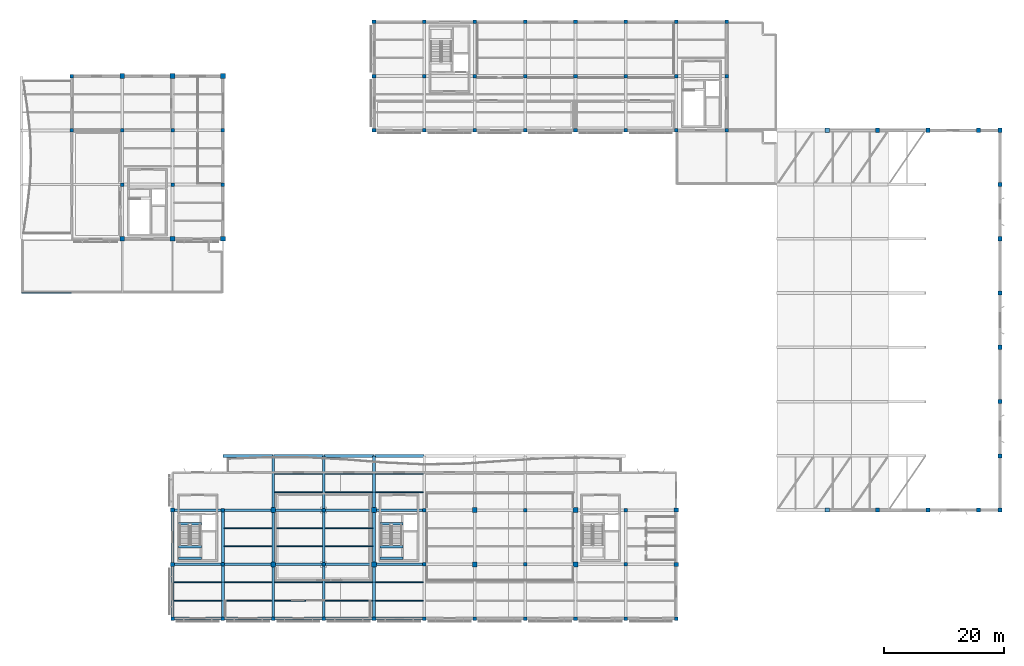
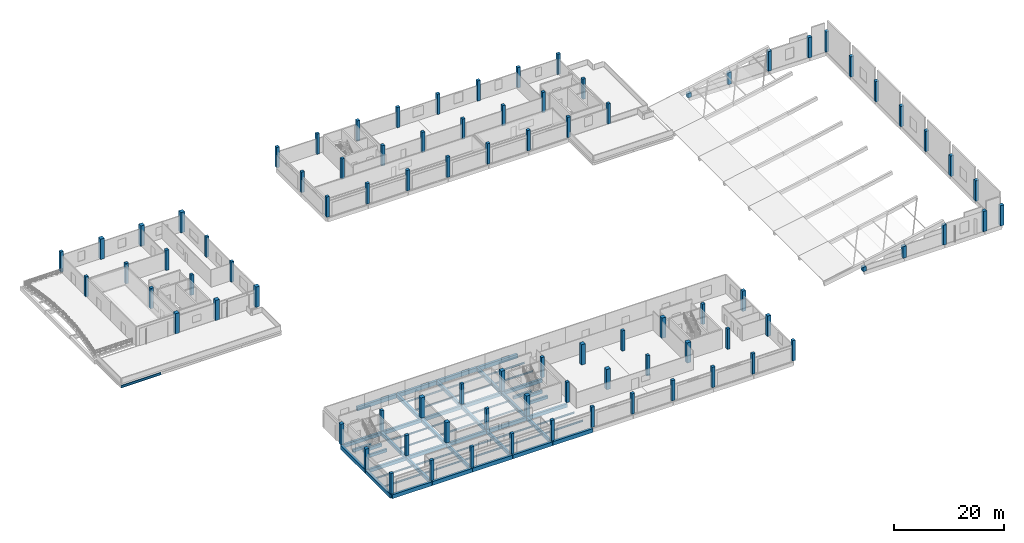
# One storey, part 1 of 34: 87 columns, 61 beams.
"""IFC4 building model written with IfcOpenShell, lengths in metres."""

from ifc_helpers import new_model, si_unit, direction, frame, origin, origin_2d, place, context, subcontext, project, spatial, rectangle, i_section, extrude, material, material_profile, profile_set, type_object, element, save


model = new_model("IFC4")

# Units and contexts
model_context = context("Model", 3, precision=1e-05, world=origin(), true_north=direction((0.0, 1.0)))
body_context = subcontext(model_context, "Body", "Model", "MODEL_VIEW")
ifc_project = project(units=[si_unit("LENGTHUNIT", "METRE"), si_unit("AREAUNIT", "SQUARE_METRE"), si_unit("VOLUMEUNIT", "CUBIC_METRE"), si_unit("PLANEANGLEUNIT", "RADIAN"), si_unit("MASSUNIT", "GRAM", prefix="KILO")], contexts=[model_context])

# Site, building, storey
site_placement = place(None, origin())
site = spatial("IfcSite", under=ifc_project, at=site_placement, CompositionType="ELEMENT")
building_placement = place(site_placement, origin())
building = spatial("IfcBuilding", under=site, at=building_placement, Name="Khurvash Pelagic Aquarium", CompositionType="ELEMENT")
storey_placement = place(building_placement, frame((0.0, 0.0, 15.60009765625)))
storey = spatial("IfcBuildingStorey", under=building, at=storey_placement, Name="L03", CompositionType="ELEMENT", Elevation=15.60009765625)

# Columns
ifc_material_1 = material(Name="Concrete C40/50", Category="concrete")
ifc_material_profile_1 = material_profile(ifc_material_1, rectangle(XDim=0.800048828125, YDim=0.800048828125, at=origin_2d()), Name="RC800X800")
ifc_profile_set_1 = profile_set([ifc_material_profile_1], Name="Concrete C40/50")
column_type_1 = type_object("IfcColumnType", Name="C-02", PredefinedType="COLUMN", material=ifc_profile_set_1)
for number, where, z_axis, x_axis, name in (
    (1, (42.0, 11.64990234375, 0.0), (0.0, 0.0, 1.0), (1.0, 0.0, 0.0), "L03 Column C-02 at 6/C"),
    (2, (42.0, 20.699951171875, 0.0), (0.0, 0.0, 1.0), (1.0, 0.0, 0.0), "L03 Column C-02 at 6/D"),
    (3, (58.800048828125, 11.64990234375, 0.0), (0.0, 0.0, 1.0), (1.0, 0.0, 0.0), "L03 Column C-02 at 8/C"),
    (4, (58.800048828125, 20.699951171875, 0.0), (0.0, 0.0, 1.0), (1.0, 0.0, 0.0), "L03 Column C-02 at 8/D"),
    (5, (75.60009765625, 11.64990234375, 0.0), (0.0, 0.0, 1.0), (1.0, 0.0, 0.0), "L03 Column C-02 at 10/C"),
    (6, (75.60009765625, 20.699951171875, 0.0), (0.0, 0.0, 1.0), (1.0, 0.0, 0.0), "L03 Column C-02 at 10/D"),
    (7, (92.39990234375, 11.64990234375, 0.0), (0.0, 0.0, 1.0), (1.0, 0.0, 0.0), "L03 Column C-02 at 12/C"),
    (8, (92.39990234375, 20.699951171875, 0.0), (0.0, 0.0, 1.0), (1.0, 0.0, 0.0), "L03 Column C-02 at 12/D"),
):
    element("IfcColumn", number, at=place(storey_placement, frame(where, z_axis=z_axis, x_axis=x_axis)), inside=storey, type_object=column_type_1, Name=name, PredefinedType="COLUMN", context=body_context, shape_type="SweptSolid", body=[
        extrude(rectangle(XDim=0.800048828125, YDim=0.800048828125, at=origin_2d()), origin(), (0.0, 0.0, 1.0), 4.5),
    ])
ifc_material_profile_2 = material_profile(ifc_material_1, rectangle(XDim=0.60009765625, YDim=0.60009765625, at=origin_2d()), Name="RC600X600")
ifc_profile_set_2 = profile_set([ifc_material_profile_2], Name="Concrete C40/50")
column_type_2 = type_object("IfcColumnType", Name="C-04", PredefinedType="COLUMN", material=ifc_profile_set_2)
for number, where, z_axis, x_axis, name in (
    (9, (16.800048828125, 75.0, 0.0), (0.0, 0.0, 1.0), (1.0, 0.0, 0.0), "L03 Column C-04 at 3/K"),
    (10, (16.800048828125, 84.050048828125, 0.0), (0.0, 0.0, 1.0), (1.0, 0.0, 0.0), "L03 Column C-04 at 3/L"),
    (11, (25.199951171875, 75.0, 0.0), (0.0, 0.0, 1.0), (1.0, 0.0, 0.0), "L03 Column C-04 at 4/K"),
    (12, (25.199951171875, 84.050048828125, 0.0), (0.0, 0.0, 1.0), (1.0, 0.0, 0.0), "L03 Column C-04 at 4/L"),
    (13, (33.60009765625, 11.64990234375, 0.0), (0.0, 0.0, 1.0), (1.0, 0.0, 0.0), "L03 Column C-04 at 5/C"),
    (14, (33.60009765625, 20.699951171875, 0.0), (0.0, 0.0, 1.0), (1.0, 0.0, 0.0), "L03 Column C-04 at 5/D"),
    (15, (50.39990234375, 11.64990234375, 0.0), (0.0, 0.0, 1.0), (1.0, 0.0, 0.0), "L03 Column C-04 at 7/C"),
    (16, (50.39990234375, 20.699951171875, 0.0), (0.0, 0.0, 1.0), (1.0, 0.0, 0.0), "L03 Column C-04 at 7/D"),
    (17, (67.199951171875, 11.64990234375, 0.0), (0.0, 0.0, 1.0), (1.0, 0.0, 0.0), "L03 Column C-04 at 9/C"),
    (18, (67.199951171875, 20.699951171875, 0.0), (0.0, 0.0, 1.0), (1.0, 0.0, 0.0), "L03 Column C-04 at 9/D"),
    (19, (67.199951171875, 93.10009765625, 0.0), (0.0, 0.0, 1.0), (1.0, 0.0, 0.0), "L03 Column C-04 at 9/M"),
    (20, (75.60009765625, 93.10009765625, 0.0), (0.0, 0.0, 1.0), (1.0, 0.0, 0.0), "L03 Column C-04 at 10/M"),
    (21, (84.0, 11.64990234375, 0.0), (0.0, 0.0, 1.0), (1.0, 0.0, 0.0), "L03 Column C-04 at 11/C"),
    (22, (84.0, 20.699951171875, 0.0), (0.0, 0.0, 1.0), (1.0, 0.0, 0.0), "L03 Column C-04 at 11/D"),
    (23, (84.0, 93.10009765625, 0.0), (0.0, 0.0, 1.0), (1.0, 0.0, 0.0), "L03 Column C-04 at 11/M"),
    (24, (92.39990234375, 93.10009765625, 0.0), (0.0, 0.0, 1.0), (1.0, 0.0, 0.0), "L03 Column C-04 at 12/M"),
    (25, (100.800048828125, 11.64990234375, 0.0), (0.0, 0.0, 1.0), (1.0, 0.0, 0.0), "L03 Column C-04 at 13/C"),
    (26, (100.800048828125, 20.699951171875, 0.0), (0.0, 0.0, 1.0), (1.0, 0.0, 0.0), "L03 Column C-04 at 13/D"),
    (27, (100.800048828125, 93.10009765625, 0.0), (0.0, 0.0, 1.0), (1.0, 0.0, 0.0), "L03 Column C-04 at 13/M"),
    (28, (109.199951171875, 93.10009765625, 0.0), (0.0, 0.0, 1.0), (1.0, 0.0, 0.0), "L03 Column C-04 at 14/M"),
):
    element("IfcColumn", number, at=place(storey_placement, frame(where, z_axis=z_axis, x_axis=x_axis)), inside=storey, type_object=column_type_2, Name=name, PredefinedType="COLUMN", context=body_context, shape_type="SweptSolid", body=[
        extrude(rectangle(XDim=0.60009765625, YDim=0.60009765625, at=origin_2d()), origin(), (0.0, 0.0, 1.0), 4.5),
    ])
ifc_material_profile_3 = material_profile(ifc_material_1, rectangle(XDim=0.800048828125, YDim=0.800048828125, at=origin_2d()), Name="RC800X800")
ifc_profile_set_3 = profile_set([ifc_material_profile_3], Name="Concrete C40/50")
column_type_3 = type_object("IfcColumnType", Name="C-06", PredefinedType="COLUMN", material=ifc_profile_set_3)
for number, where, z_axis, x_axis, name in (
    (29, (16.800048828125, 65.949951171875, 0.0), (0.0, 0.0, 1.0), (1.0, 0.0, 0.0), "L03 Column C-06 at 3/J"),
    (30, (16.800048828125, 93.10009765625, 0.0), (0.0, 0.0, 1.0), (1.0, 0.0, 0.0), "L03 Column C-06 at 3/M"),
    (31, (25.199951171875, 65.949951171875, 0.0), (0.0, 0.0, 1.0), (1.0, 0.0, 0.0), "L03 Column C-06 at 4/J"),
    (32, (25.199951171875, 93.10009765625, 0.0), (0.0, 0.0, 1.0), (1.0, 0.0, 0.0), "L03 Column C-06 at 4/M"),
    (33, (33.60009765625, 65.949951171875, 0.0), (0.0, 0.0, 1.0), (1.0, 0.0, 0.0), "L03 Column C-06 at 5/J"),
    (34, (33.60009765625, 93.10009765625, 0.0), (0.0, 0.0, 1.0), (1.0, 0.0, 0.0), "L03 Column C-06 at 5/M"),
):
    element("IfcColumn", number, at=place(storey_placement, frame(where, z_axis=z_axis, x_axis=x_axis)), inside=storey, type_object=column_type_3, Name=name, PredefinedType="COLUMN", context=body_context, shape_type="SweptSolid", body=[
        extrude(rectangle(XDim=0.800048828125, YDim=0.800048828125, at=origin_2d()), origin(), (0.0, 0.0, 1.0), 4.5),
    ])
ifc_material_profile_4 = material_profile(ifc_material_1, rectangle(XDim=0.699951171875, YDim=0.699951171875, at=origin_2d()), Name="RC700X700")
ifc_profile_set_4 = profile_set([ifc_material_profile_4], Name="Concrete C40/50")
column_type_4 = type_object("IfcColumnType", Name="C-07", PredefinedType="COLUMN", material=ifc_profile_set_4)
for number, where, z_axis, x_axis, name in (
    (35, (134.39990234375, 20.699951171875, 0.0), (0.0, 0.0, 1.0), (1.0, 0.0, 0.0), "L03 Wave-Shell Perimeter Column C-07 at 17/D"),
    (36, (134.39990234375, 84.050048828125, 0.0), (0.0, 0.0, 1.0), (1.0, 0.0, 0.0), "L03 Wave-Shell Perimeter Column C-07 at 17/L"),
):
    element("IfcColumn", number, at=place(storey_placement, frame(where, z_axis=z_axis, x_axis=x_axis)), inside=storey, type_object=column_type_4, Name=name, PredefinedType="COLUMN", context=body_context, shape_type="SweptSolid", body=[
        extrude(rectangle(XDim=0.699951171875, YDim=0.699951171875, at=origin_2d()), origin(), (0.0, 0.0, 1.0), 0.958984375),
    ])
for number, where, z_axis, x_axis, name in (
    (37, (142.800048828125, 20.699951171875, 0.0), (0.0, 0.0, 1.0), (1.0, 0.0, 0.0), "L03 Wave-Shell Perimeter Column C-07 at 18/D"),
    (38, (142.800048828125, 84.050048828125, 0.0), (0.0, 0.0, 1.0), (1.0, 0.0, 0.0), "L03 Wave-Shell Perimeter Column C-07 at 18/L"),
):
    element("IfcColumn", number, at=place(storey_placement, frame(where, z_axis=z_axis, x_axis=x_axis)), inside=storey, type_object=column_type_4, Name=name, PredefinedType="COLUMN", context=body_context, shape_type="SweptSolid", body=[
        extrude(rectangle(XDim=0.699951171875, YDim=0.699951171875, at=origin_2d()), origin(), (0.0, 0.0, 1.0), 2.599853515625),
    ])
for number, where, z_axis, x_axis, name in (
    (39, (151.199951171875, 20.699951171875, 0.0), (0.0, 0.0, 1.0), (1.0, 0.0, 0.0), "L03 Wave-Shell Perimeter Column C-07 at 19/D"),
    (40, (151.199951171875, 84.050048828125, 0.0), (0.0, 0.0, 1.0), (1.0, 0.0, 0.0), "L03 Wave-Shell Perimeter Column C-07 at 19/L"),
):
    element("IfcColumn", number, at=place(storey_placement, frame(where, z_axis=z_axis, x_axis=x_axis)), inside=storey, type_object=column_type_4, Name=name, PredefinedType="COLUMN", context=body_context, shape_type="SweptSolid", body=[
        extrude(rectangle(XDim=0.699951171875, YDim=0.699951171875, at=origin_2d()), origin(), (0.0, 0.0, 1.0), 4.370849609375),
    ])
for number, where, z_axis, x_axis, name in (
    (41, (159.60009765625, 20.699951171875, 0.0), (0.0, 0.0, 1.0), (1.0, 0.0, 0.0), "L03 Wave-Shell Perimeter Column C-07 at 20/D"),
    (42, (159.60009765625, 84.050048828125, 0.0), (0.0, 0.0, 1.0), (1.0, 0.0, 0.0), "L03 Wave-Shell Perimeter Column C-07 at 20/L"),
    (43, (163.199951171875, 20.699951171875, 0.0), (0.0, 0.0, 1.0), (1.0, 0.0, 0.0), "L03 Wave-Shell Perimeter Column C-07 at 21/D"),
    (44, (163.199951171875, 29.75, 0.0), (0.0, 0.0, 1.0), (1.0, 0.0, 0.0), "L03 Wave-Shell Perimeter Column C-07 at 21/E"),
    (45, (163.199951171875, 38.800048828125, 0.0), (0.0, 0.0, 1.0), (1.0, 0.0, 0.0), "L03 Wave-Shell Perimeter Column C-07 at 21/F"),
    (46, (163.199951171875, 47.85009765625, 0.0), (0.0, 0.0, 1.0), (1.0, 0.0, 0.0), "L03 Wave-Shell Perimeter Column C-07 at 21/G"),
    (47, (163.199951171875, 56.89990234375, 0.0), (0.0, 0.0, 1.0), (1.0, 0.0, 0.0), "L03 Wave-Shell Perimeter Column C-07 at 21/H"),
    (48, (163.199951171875, 65.949951171875, 0.0), (0.0, 0.0, 1.0), (1.0, 0.0, 0.0), "L03 Wave-Shell Perimeter Column C-07 at 21/J"),
    (49, (163.199951171875, 75.0, 0.0), (0.0, 0.0, 1.0), (1.0, 0.0, 0.0), "L03 Wave-Shell Perimeter Column C-07 at 21/K"),
    (50, (163.199951171875, 84.050048828125, 0.0), (0.0, 0.0, 1.0), (1.0, 0.0, 0.0), "L03 Wave-Shell Perimeter Column C-07 at 21/L"),
    (51, (25.199951171875, 11.64990234375, 0.0), (0.0, 0.0, 1.0), (1.0, 0.0, 0.0), "L03 Column C-07 at 4/C"),
    (52, (25.199951171875, 20.699951171875, 0.0), (0.0, 0.0, 1.0), (1.0, 0.0, 0.0), "L03 Column C-07 at 4/D"),
    (53, (109.199951171875, 11.64990234375, 0.0), (0.0, 0.0, 1.0), (1.0, 0.0, 0.0), "L03 Column C-07 at 14/C"),
    (54, (109.199951171875, 20.699951171875, 0.0), (0.0, 0.0, 1.0), (1.0, 0.0, 0.0), "L03 Column C-07 at 14/D"),
):
    element("IfcColumn", number, at=place(storey_placement, frame(where, z_axis=z_axis, x_axis=x_axis)), inside=storey, type_object=column_type_4, Name=name, PredefinedType="COLUMN", context=body_context, shape_type="SweptSolid", body=[
        extrude(rectangle(XDim=0.699951171875, YDim=0.699951171875, at=origin_2d()), origin(), (0.0, 0.0, 1.0), 4.5),
    ])
ifc_material_profile_5 = material_profile(ifc_material_1, rectangle(XDim=0.60009765625, YDim=0.60009765625, at=origin_2d()), Name="RC600X600")
ifc_profile_set_5 = profile_set([ifc_material_profile_5], Name="Concrete C40/50")
column_type_5 = type_object("IfcColumnType", Name="C-08", PredefinedType="COLUMN", material=ifc_profile_set_5)
for number, where, z_axis, x_axis, name in (
    (55, (8.39990234375, 84.050048828125, 0.0), (0.0, 0.0, 1.0), (1.0, 0.0, 0.0), "L03 Column C-08 at 2/L"),
    (56, (8.39990234375, 93.10009765625, 0.0), (0.0, 0.0, 1.0), (1.0, 0.0, 0.0), "L03 Column C-08 at 2/M"),
    (57, (25.199951171875, 2.60009765625, 0.0), (0.0, 0.0, 1.0), (1.0, 0.0, 0.0), "L03 Column C-08 at 4/B"),
    (58, (33.60009765625, 2.60009765625, 0.0), (0.0, 0.0, 1.0), (1.0, 0.0, 0.0), "L03 Column C-08 at 5/B"),
    (59, (33.60009765625, 75.0, 0.0), (0.0, 0.0, 1.0), (1.0, 0.0, 0.0), "L03 Column C-08 at 5/K"),
    (60, (33.60009765625, 84.050048828125, 0.0), (0.0, 0.0, 1.0), (1.0, 0.0, 0.0), "L03 Column C-08 at 5/L"),
    (61, (42.0, 2.60009765625, 0.0), (0.0, 0.0, 1.0), (1.0, 0.0, 0.0), "L03 Column C-08 at 6/B"),
    (62, (50.39990234375, 2.60009765625, 0.0), (0.0, 0.0, 1.0), (1.0, 0.0, 0.0), "L03 Column C-08 at 7/B"),
    (63, (58.800048828125, 2.60009765625, 0.0), (0.0, 0.0, 1.0), (1.0, 0.0, 0.0), "L03 Column C-08 at 8/B"),
    (64, (58.800048828125, 84.050048828125, 0.0), (0.0, 0.0, 1.0), (1.0, 0.0, 0.0), "L03 Column C-08 at 8/L"),
    (65, (58.800048828125, 93.10009765625, 0.0), (0.0, 0.0, 1.0), (1.0, 0.0, 0.0), "L03 Column C-08 at 8/M"),
    (66, (58.800048828125, 102.14990234375, 0.0), (0.0, 0.0, 1.0), (1.0, 0.0, 0.0), "L03 Column C-08 at 8/N"),
    (67, (67.199951171875, 2.60009765625, 0.0), (0.0, 0.0, 1.0), (1.0, 0.0, 0.0), "L03 Column C-08 at 9/B"),
    (68, (67.199951171875, 84.050048828125, 0.0), (0.0, 0.0, 1.0), (1.0, 0.0, 0.0), "L03 Column C-08 at 9/L"),
    (69, (67.199951171875, 102.14990234375, 0.0), (0.0, 0.0, 1.0), (1.0, 0.0, 0.0), "L03 Column C-08 at 9/N"),
    (70, (75.60009765625, 2.60009765625, 0.0), (0.0, 0.0, 1.0), (1.0, 0.0, 0.0), "L03 Column C-08 at 10/B"),
    (71, (75.60009765625, 84.050048828125, 0.0), (0.0, 0.0, 1.0), (1.0, 0.0, 0.0), "L03 Column C-08 at 10/L"),
    (72, (75.60009765625, 102.14990234375, 0.0), (0.0, 0.0, 1.0), (1.0, 0.0, 0.0), "L03 Column C-08 at 10/N"),
    (73, (84.0, 2.60009765625, 0.0), (0.0, 0.0, 1.0), (1.0, 0.0, 0.0), "L03 Column C-08 at 11/B"),
    (74, (84.0, 84.050048828125, 0.0), (0.0, 0.0, 1.0), (1.0, 0.0, 0.0), "L03 Column C-08 at 11/L"),
    (75, (84.0, 102.14990234375, 0.0), (0.0, 0.0, 1.0), (1.0, 0.0, 0.0), "L03 Column C-08 at 11/N"),
    (76, (92.39990234375, 2.60009765625, 0.0), (0.0, 0.0, 1.0), (1.0, 0.0, 0.0), "L03 Column C-08 at 12/B"),
    (77, (92.39990234375, 84.050048828125, 0.0), (0.0, 0.0, 1.0), (1.0, 0.0, 0.0), "L03 Column C-08 at 12/L"),
    (78, (92.39990234375, 102.14990234375, 0.0), (0.0, 0.0, 1.0), (1.0, 0.0, 0.0), "L03 Column C-08 at 12/N"),
    (79, (100.800048828125, 2.60009765625, 0.0), (0.0, 0.0, 1.0), (1.0, 0.0, 0.0), "L03 Column C-08 at 13/B"),
    (80, (100.800048828125, 84.050048828125, 0.0), (0.0, 0.0, 1.0), (1.0, 0.0, 0.0), "L03 Column C-08 at 13/L"),
    (81, (100.800048828125, 102.14990234375, 0.0), (0.0, 0.0, 1.0), (1.0, 0.0, 0.0), "L03 Column C-08 at 13/N"),
    (82, (109.199951171875, 2.60009765625, 0.0), (0.0, 0.0, 1.0), (1.0, 0.0, 0.0), "L03 Column C-08 at 14/B"),
    (83, (109.199951171875, 84.050048828125, 0.0), (0.0, 0.0, 1.0), (1.0, 0.0, 0.0), "L03 Column C-08 at 14/L"),
    (84, (109.199951171875, 102.14990234375, 0.0), (0.0, 0.0, 1.0), (1.0, 0.0, 0.0), "L03 Column C-08 at 14/N"),
    (85, (117.60009765625, 84.050048828125, 0.0), (0.0, 0.0, 1.0), (1.0, 0.0, 0.0), "L03 Column C-08 at 15/L"),
    (86, (117.60009765625, 93.10009765625, 0.0), (0.0, 0.0, 1.0), (1.0, 0.0, 0.0), "L03 Column C-08 at 15/M"),
    (87, (117.60009765625, 102.14990234375, 0.0), (0.0, 0.0, 1.0), (1.0, 0.0, 0.0), "L03 Column C-08 at 15/N"),
):
    element("IfcColumn", number, at=place(storey_placement, frame(where, z_axis=z_axis, x_axis=x_axis)), inside=storey, type_object=column_type_5, Name=name, PredefinedType="COLUMN", context=body_context, shape_type="SweptSolid", body=[
        extrude(rectangle(XDim=0.60009765625, YDim=0.60009765625, at=origin_2d()), origin(), (0.0, 0.0, 1.0), 4.5),
    ])

# Beams
ifc_material_2 = material(Name="Concrete C35/45", Category="concrete")
ifc_material_profile_6 = material_profile(ifc_material_2, rectangle(XDim=0.449951171875, YDim=0.75, at=origin_2d()), Name="RC450X750")
ifc_profile_set_6 = profile_set([ifc_material_profile_6], Name="Concrete C35/45")
beam_type_1 = type_object("IfcBeamType", Name="BM-04", PredefinedType="BEAM", material=ifc_profile_set_6)
for number, where, z_axis, x_axis, name in (
    (88, (25.239990234375, 11.64990234375, -0.695068359375), (1.0, 0.0, 0.0), (0.0, 1.0, 0.0), "L03 Primary Girder BM-04 00841"),
    (89, (33.639892578125, 11.64990234375, -0.695068359375), (1.0, 0.0, 0.0), (0.0, 1.0, 0.0), "L03 Primary Girder BM-04 00842"),
    (90, (42.0400390625, 11.64990234375, -0.695068359375), (1.0, 0.0, 0.0), (0.0, 1.0, 0.0), "L03 Primary Girder BM-04 00843"),
    (91, (50.43994140625, 11.64990234375, -0.695068359375), (1.0, 0.0, 0.0), (0.0, 1.0, 0.0), "L03 Primary Girder BM-04 00844"),
):
    element("IfcBeam", number, at=place(storey_placement, frame(where, z_axis=z_axis, x_axis=x_axis)), inside=storey, type_object=beam_type_1, Name=name, PredefinedType="BEAM", context=body_context, shape_type="SweptSolid", body=[
        extrude(rectangle(XDim=0.449951171875, YDim=0.75, at=origin_2d()), origin(), (0.0, 0.0, 1.0), 8.320068359375),
    ])
beam_1_placement = place(storey_placement, frame((58.840087890625, 11.64990234375, -0.695068359375), z_axis=(1.0, 0.0, 0.0), x_axis=(0.0, 1.0, 0.0)))
element("IfcBeam", 92, at=beam_1_placement, inside=storey, type_object=beam_type_1, Name="L03 Primary Girder BM-04 00845", PredefinedType="BEAM", context=body_context, shape_type="SweptSolid", body=[
    extrude(rectangle(XDim=0.449951171875, YDim=0.75, at=origin_2d()), origin(), (0.0, 0.0, 1.0), 8.31982421875),
])
for number, where, z_axis, x_axis, name in (
    (93, (25.239990234375, 20.699951171875, -0.695068359375), (1.0, 0.0, 0.0), (0.0, 1.0, 0.0), "L03 Primary Girder BM-04 00851"),
    (94, (33.639892578125, 20.699951171875, -0.695068359375), (1.0, 0.0, 0.0), (0.0, 1.0, 0.0), "L03 Primary Girder BM-04 00852"),
    (95, (42.0400390625, 20.699951171875, -0.695068359375), (1.0, 0.0, 0.0), (0.0, 1.0, 0.0), "L03 Primary Girder BM-04 00853"),
    (96, (50.43994140625, 20.699951171875, -0.695068359375), (1.0, 0.0, 0.0), (0.0, 1.0, 0.0), "L03 Primary Girder BM-04 00854"),
):
    element("IfcBeam", number, at=place(storey_placement, frame(where, z_axis=z_axis, x_axis=x_axis)), inside=storey, type_object=beam_type_1, Name=name, PredefinedType="BEAM", context=body_context, shape_type="SweptSolid", body=[
        extrude(rectangle(XDim=0.449951171875, YDim=0.75, at=origin_2d()), origin(), (0.0, 0.0, 1.0), 8.320068359375),
    ])
beam_2_placement = place(storey_placement, frame((58.840087890625, 20.699951171875, -0.695068359375), z_axis=(1.0, 0.0, 0.0), x_axis=(0.0, 1.0, 0.0)))
element("IfcBeam", 97, at=beam_2_placement, inside=storey, type_object=beam_type_1, Name="L03 Primary Girder BM-04 00855", PredefinedType="BEAM", context=body_context, shape_type="SweptSolid", body=[
    extrude(rectangle(XDim=0.449951171875, YDim=0.75, at=origin_2d()), origin(), (0.0, 0.0, 1.0), 8.31982421875),
])
beam_3_placement = place(storey_placement, frame((33.60009765625, 2.639892578125, -0.675048828125), z_axis=(0.0, 1.0, 0.0), x_axis=(-1.0, 0.0, 0.0)))
element("IfcBeam", 98, at=beam_3_placement, inside=storey, type_object=beam_type_1, Name="L03 Primary Girder BM-04 00914", PredefinedType="BEAM", context=body_context, shape_type="SweptSolid", body=[
    extrude(rectangle(XDim=0.449951171875, YDim=0.75, at=origin_2d()), origin(), (0.0, 0.0, 1.0), 8.97021484375),
])
beam_4_placement = place(storey_placement, frame((33.60009765625, 11.68994140625, -0.675048828125), z_axis=(0.0, 1.0, 0.0), x_axis=(-1.0, 0.0, 0.0)))
element("IfcBeam", 99, at=beam_4_placement, inside=storey, type_object=beam_type_1, Name="L03 Primary Girder BM-04 00915", PredefinedType="BEAM", context=body_context, shape_type="SweptSolid", body=[
    extrude(rectangle(XDim=0.449951171875, YDim=0.75, at=origin_2d()), origin(), (0.0, 0.0, 1.0), 8.969970703125),
])
beam_5_placement = place(storey_placement, frame((42.0, 2.639892578125, -0.675048828125), z_axis=(0.0, 1.0, 0.0), x_axis=(-1.0, 0.0, 0.0)))
element("IfcBeam", 100, at=beam_5_placement, inside=storey, type_object=beam_type_1, Name="L03 Primary Girder BM-04 00919", PredefinedType="BEAM", context=body_context, shape_type="SweptSolid", body=[
    extrude(rectangle(XDim=0.449951171875, YDim=0.75, at=origin_2d()), origin(), (0.0, 0.0, 1.0), 8.97021484375),
])
for number, where, z_axis, x_axis, name in (
    (101, (42.0, 11.68994140625, -0.675048828125), (0.0, 1.0, 0.0), (-1.0, 0.0, 0.0), "L03 Primary Girder BM-04 00920"),
    (102, (42.0, 20.739990234375, -0.675048828125), (0.0, 1.0, 0.0), (-1.0, 0.0, 0.0), "L03 Primary Girder BM-04 00921"),
):
    element("IfcBeam", number, at=place(storey_placement, frame(where, z_axis=z_axis, x_axis=x_axis)), inside=storey, type_object=beam_type_1, Name=name, PredefinedType="BEAM", context=body_context, shape_type="SweptSolid", body=[
        extrude(rectangle(XDim=0.449951171875, YDim=0.75, at=origin_2d()), origin(), (0.0, 0.0, 1.0), 8.969970703125),
    ])
beam_6_placement = place(storey_placement, frame((50.39990234375, 2.639892578125, -0.675048828125), z_axis=(0.0, 1.0, 0.0), x_axis=(-1.0, 0.0, 0.0)))
element("IfcBeam", 103, at=beam_6_placement, inside=storey, type_object=beam_type_1, Name="L03 Primary Girder BM-04 00922", PredefinedType="BEAM", context=body_context, shape_type="SweptSolid", body=[
    extrude(rectangle(XDim=0.449951171875, YDim=0.75, at=origin_2d()), origin(), (0.0, 0.0, 1.0), 8.97021484375),
])
for number, where, z_axis, x_axis, name in (
    (104, (50.39990234375, 11.68994140625, -0.675048828125), (0.0, 1.0, 0.0), (-1.0, 0.0, 0.0), "L03 Primary Girder BM-04 00923"),
    (105, (50.39990234375, 20.739990234375, -0.675048828125), (0.0, 1.0, 0.0), (-1.0, 0.0, 0.0), "L03 Primary Girder BM-04 00924"),
):
    element("IfcBeam", number, at=place(storey_placement, frame(where, z_axis=z_axis, x_axis=x_axis)), inside=storey, type_object=beam_type_1, Name=name, PredefinedType="BEAM", context=body_context, shape_type="SweptSolid", body=[
        extrude(rectangle(XDim=0.449951171875, YDim=0.75, at=origin_2d()), origin(), (0.0, 0.0, 1.0), 8.969970703125),
    ])
beam_7_placement = place(storey_placement, frame((58.800048828125, 2.639892578125, -0.675048828125), z_axis=(0.0, 1.0, 0.0), x_axis=(-1.0, 0.0, 0.0)))
element("IfcBeam", 106, at=beam_7_placement, inside=storey, type_object=beam_type_1, Name="L03 Primary Girder BM-04 00925", PredefinedType="BEAM", context=body_context, shape_type="SweptSolid", body=[
    extrude(rectangle(XDim=0.449951171875, YDim=0.75, at=origin_2d()), origin(), (0.0, 0.0, 1.0), 8.97021484375),
])
for number, where, z_axis, x_axis, name in (
    (107, (58.800048828125, 11.68994140625, -0.675048828125), (0.0, 1.0, 0.0), (-1.0, 0.0, 0.0), "L03 Primary Girder BM-04 00926"),
    (108, (58.800048828125, 20.739990234375, -0.675048828125), (0.0, 1.0, 0.0), (-1.0, 0.0, 0.0), "L03 Primary Girder BM-04 00927"),
):
    element("IfcBeam", number, at=place(storey_placement, frame(where, z_axis=z_axis, x_axis=x_axis)), inside=storey, type_object=beam_type_1, Name=name, PredefinedType="BEAM", context=body_context, shape_type="SweptSolid", body=[
        extrude(rectangle(XDim=0.449951171875, YDim=0.75, at=origin_2d()), origin(), (0.0, 0.0, 1.0), 8.969970703125),
    ])
ifc_material_profile_7 = material_profile(ifc_material_2, rectangle(XDim=0.39990234375, YDim=0.64990234375, at=origin_2d()), Name="RC400X650")
ifc_profile_set_7 = profile_set([ifc_material_profile_7], Name="Concrete C35/45")
beam_type_2 = type_object("IfcBeamType", Name="BM-05", PredefinedType="BEAM", material=ifc_profile_set_7)
for number, where, z_axis, x_axis, name in (
    (109, (26.179931640625, 18.429931640625, -0.625), (1.0, 0.0, 0.0), (0.0, 1.0, 0.0), "L03 Stair ST-01 Header Trimmer Beam BM-05"),
    (110, (26.179931640625, 12.669921875, 1.724853515625), (1.0, 0.0, 0.0), (0.0, 1.0, 0.0), "L03 Stair ST-01 Mid-Landing Trimmer Beam BM-05"),
    (111, (26.179931640625, 14.610107421875, 1.724853515625), (1.0, 0.0, 0.0), (0.0, 1.0, 0.0), "L03 Stair ST-01 Mid-Landing Trimmer Beam BM-05"),
    (112, (59.780029296875, 18.429931640625, -0.625), (1.0, 0.0, 0.0), (0.0, 1.0, 0.0), "L03 Stair ST-02 Header Trimmer Beam BM-05"),
    (113, (59.780029296875, 12.669921875, 1.724853515625), (1.0, 0.0, 0.0), (0.0, 1.0, 0.0), "L03 Stair ST-02 Mid-Landing Trimmer Beam BM-05"),
    (114, (59.780029296875, 14.610107421875, 1.724853515625), (1.0, 0.0, 0.0), (0.0, 1.0, 0.0), "L03 Stair ST-02 Mid-Landing Trimmer Beam BM-05"),
):
    element("IfcBeam", number, at=place(storey_placement, frame(where, z_axis=z_axis, x_axis=x_axis)), inside=storey, type_object=beam_type_2, Name=name, PredefinedType="BEAM", context=body_context, shape_type="SweptSolid", body=[
        extrude(rectangle(XDim=0.39990234375, YDim=0.64990234375, at=origin_2d()), origin(), (0.0, 0.0, 1.0), 3.840087890625),
    ])
ifc_material_3 = material(Name="Steel ASTM A992 Grade 50", Category="steel")
ifc_material_profile_8 = material_profile(ifc_material_3, i_section(OverallWidth=0.214111328125, OverallDepth=0.549072265625, WebThickness=0.0146484375, FlangeThickness=0.023681640625, at=origin_2d()), Name="W21X93")
ifc_profile_set_8 = profile_set([ifc_material_profile_8], Name="Steel ASTM A992 Grade 50")
beam_type_3 = type_object("IfcBeamType", Name="BM-11", PredefinedType="BEAM", material=ifc_profile_set_8)
beam_8_placement = place(storey_placement, frame((0.0400390625, 56.89990234375, -0.594482421875), z_axis=(1.0, 0.0, 0.0), x_axis=(0.0, 1.0, 0.0)))
element("IfcBeam", 115, at=beam_8_placement, inside=storey, type_object=beam_type_3, Name="L03 Roof Girder BM-11 01237", PredefinedType="BEAM", context=body_context, shape_type="SweptSolid", body=[
    extrude(i_section(OverallWidth=0.214111328125, OverallDepth=0.549072265625, WebThickness=0.0146484375, FlangeThickness=0.023681640625, at=origin_2d()), origin(), (0.0, 0.0, 1.0), 8.320068359375),
])
ifc_material_4 = material(Name="Steel S355J2", Category="steel")
ifc_material_profile_9 = material_profile(ifc_material_4, i_section(OverallWidth=0.169921875, OverallDepth=0.360107421875, WebThickness=0.008056640625, FlangeThickness=0.0126953125, at=origin_2d()), Name="IPE360")
ifc_profile_set_9 = profile_set([ifc_material_profile_9], Name="Steel S355J2")
beam_type_4 = type_object("IfcBeamType", Name="JS-04", PredefinedType="JOIST", material=ifc_profile_set_9)
for number, where, z_axis, x_axis, name in (
    (116, (25.449951171875, 5.616943359375, -0.47998046875), (1.0, 0.0, 0.0), (0.0, 1.0, 0.0), "L03 Floor Joist JS-04 00968"),
    (117, (25.449951171875, 8.633056640625, -0.47998046875), (1.0, 0.0, 0.0), (0.0, 1.0, 0.0), "L03 Floor Joist JS-04 00969"),
):
    element("IfcBeam", number, at=place(storey_placement, frame(where, z_axis=z_axis, x_axis=x_axis)), inside=storey, type_object=beam_type_4, Name=name, PredefinedType="JOIST", context=body_context, shape_type="SweptSolid", body=[
        extrude(i_section(OverallWidth=0.169921875, OverallDepth=0.360107421875, WebThickness=0.008056640625, FlangeThickness=0.0126953125, at=origin_2d()), origin(), (0.0, 0.0, 1.0), 7.925048828125),
    ])
for number, where, z_axis, x_axis, name in (
    (118, (33.824951171875, 5.616943359375, -0.47998046875), (1.0, 0.0, 0.0), (0.0, 1.0, 0.0), "L03 Floor Joist JS-04 00976"),
    (119, (33.824951171875, 8.633056640625, -0.47998046875), (1.0, 0.0, 0.0), (0.0, 1.0, 0.0), "L03 Floor Joist JS-04 00977"),
    (120, (33.824951171875, 14.6669921875, -0.47998046875), (1.0, 0.0, 0.0), (0.0, 1.0, 0.0), "L03 Floor Joist JS-04 00978"),
    (121, (33.824951171875, 17.68310546875, -0.47998046875), (1.0, 0.0, 0.0), (0.0, 1.0, 0.0), "L03 Floor Joist JS-04 00979"),
    (122, (42.22509765625, 5.616943359375, -0.47998046875), (1.0, 0.0, 0.0), (0.0, 1.0, 0.0), "L03 Floor Joist JS-04 00980"),
    (123, (42.22509765625, 8.633056640625, -0.47998046875), (1.0, 0.0, 0.0), (0.0, 1.0, 0.0), "L03 Floor Joist JS-04 00981"),
    (124, (42.22509765625, 14.6669921875, -0.47998046875), (1.0, 0.0, 0.0), (0.0, 1.0, 0.0), "L03 Floor Joist JS-04 00982"),
    (125, (42.22509765625, 17.68310546875, -0.47998046875), (1.0, 0.0, 0.0), (0.0, 1.0, 0.0), "L03 Floor Joist JS-04 00983"),
    (126, (42.22509765625, 23.717041015625, -0.47998046875), (1.0, 0.0, 0.0), (0.0, 1.0, 0.0), "L03 Floor Joist JS-04 00984"),
    (127, (42.22509765625, 26.73291015625, -0.47998046875), (1.0, 0.0, 0.0), (0.0, 1.0, 0.0), "L03 Floor Joist JS-04 00985"),
    (128, (50.625, 5.616943359375, -0.47998046875), (1.0, 0.0, 0.0), (0.0, 1.0, 0.0), "L03 Floor Joist JS-04 00986"),
    (129, (50.625, 8.633056640625, -0.47998046875), (1.0, 0.0, 0.0), (0.0, 1.0, 0.0), "L03 Floor Joist JS-04 00987"),
    (130, (50.625, 14.6669921875, -0.47998046875), (1.0, 0.0, 0.0), (0.0, 1.0, 0.0), "L03 Floor Joist JS-04 00988"),
    (131, (50.625, 17.68310546875, -0.47998046875), (1.0, 0.0, 0.0), (0.0, 1.0, 0.0), "L03 Floor Joist JS-04 00989"),
    (132, (50.625, 23.717041015625, -0.47998046875), (1.0, 0.0, 0.0), (0.0, 1.0, 0.0), "L03 Floor Joist JS-04 00990"),
    (133, (50.625, 26.73291015625, -0.47998046875), (1.0, 0.0, 0.0), (0.0, 1.0, 0.0), "L03 Floor Joist JS-04 00991"),
):
    element("IfcBeam", number, at=place(storey_placement, frame(where, z_axis=z_axis, x_axis=x_axis)), inside=storey, type_object=beam_type_4, Name=name, PredefinedType="JOIST", context=body_context, shape_type="SweptSolid", body=[
        extrude(i_section(OverallWidth=0.169921875, OverallDepth=0.360107421875, WebThickness=0.008056640625, FlangeThickness=0.0126953125, at=origin_2d()), origin(), (0.0, 0.0, 1.0), 7.949951171875),
    ])
for number, where, z_axis, x_axis, name in (
    (134, (59.02490234375, 5.616943359375, -0.47998046875), (1.0, 0.0, 0.0), (0.0, 1.0, 0.0), "L03 Floor Joist JS-04 00992"),
    (135, (59.02490234375, 8.633056640625, -0.47998046875), (1.0, 0.0, 0.0), (0.0, 1.0, 0.0), "L03 Floor Joist JS-04 00993"),
    (136, (59.02490234375, 23.717041015625, -0.47998046875), (1.0, 0.0, 0.0), (0.0, 1.0, 0.0), "L03 Floor Joist JS-04 00994"),
    (137, (59.02490234375, 26.73291015625, -0.47998046875), (1.0, 0.0, 0.0), (0.0, 1.0, 0.0), "L03 Floor Joist JS-04 00995"),
):
    element("IfcBeam", number, at=place(storey_placement, frame(where, z_axis=z_axis, x_axis=x_axis)), inside=storey, type_object=beam_type_4, Name=name, PredefinedType="JOIST", context=body_context, shape_type="SweptSolid", body=[
        extrude(i_section(OverallWidth=0.169921875, OverallDepth=0.360107421875, WebThickness=0.008056640625, FlangeThickness=0.0126953125, at=origin_2d()), origin(), (0.0, 0.0, 1.0), 7.9501953125),
    ])
ifc_material_profile_10 = material_profile(ifc_material_1, rectangle(XDim=0.5, YDim=0.85009765625, at=origin_2d()), Name="RC500X850")
ifc_profile_set_10 = profile_set([ifc_material_profile_10], Name="Concrete C40/50")
beam_type_5 = type_object("IfcBeamType", Name="SEB-03", PredefinedType="SPANDREL", material=ifc_profile_set_10)
for number, where, z_axis, x_axis, name in (
    (138, (25.239990234375, 2.60009765625, -0.7451171875), (1.0, 0.0, 0.0), (0.0, 1.0, 0.0), "L03 Primary Girder SEB-03 00831"),
    (139, (33.639892578125, 2.60009765625, -0.7451171875), (1.0, 0.0, 0.0), (0.0, 1.0, 0.0), "L03 Primary Girder SEB-03 00832"),
    (140, (42.0400390625, 2.60009765625, -0.7451171875), (1.0, 0.0, 0.0), (0.0, 1.0, 0.0), "L03 Primary Girder SEB-03 00833"),
    (141, (50.43994140625, 2.60009765625, -0.7451171875), (1.0, 0.0, 0.0), (0.0, 1.0, 0.0), "L03 Primary Girder SEB-03 00834"),
):
    element("IfcBeam", number, at=place(storey_placement, frame(where, z_axis=z_axis, x_axis=x_axis)), inside=storey, type_object=beam_type_5, Name=name, PredefinedType="SPANDREL", context=body_context, shape_type="SweptSolid", body=[
        extrude(rectangle(XDim=0.5, YDim=0.85009765625, at=origin_2d()), origin(), (0.0, 0.0, 1.0), 8.320068359375),
    ])
beam_9_placement = place(storey_placement, frame((58.840087890625, 2.60009765625, -0.7451171875), z_axis=(1.0, 0.0, 0.0), x_axis=(0.0, 1.0, 0.0)))
element("IfcBeam", 142, at=beam_9_placement, inside=storey, type_object=beam_type_5, Name="L03 Primary Girder SEB-03 00835", PredefinedType="SPANDREL", context=body_context, shape_type="SweptSolid", body=[
    extrude(rectangle(XDim=0.5, YDim=0.85009765625, at=origin_2d()), origin(), (0.0, 0.0, 1.0), 8.31982421875),
])
for number, where, z_axis, x_axis, name in (
    (143, (33.639892578125, 29.75, -0.7451171875), (1.0, 0.0, 0.0), (0.0, 1.0, 0.0), "L03 Primary Girder SEB-03 00861"),
    (144, (42.0400390625, 29.75, -0.7451171875), (1.0, 0.0, 0.0), (0.0, 1.0, 0.0), "L03 Primary Girder SEB-03 00862"),
    (145, (50.43994140625, 29.75, -0.7451171875), (1.0, 0.0, 0.0), (0.0, 1.0, 0.0), "L03 Primary Girder SEB-03 00863"),
):
    element("IfcBeam", number, at=place(storey_placement, frame(where, z_axis=z_axis, x_axis=x_axis)), inside=storey, type_object=beam_type_5, Name=name, PredefinedType="SPANDREL", context=body_context, shape_type="SweptSolid", body=[
        extrude(rectangle(XDim=0.5, YDim=0.85009765625, at=origin_2d()), origin(), (0.0, 0.0, 1.0), 8.320068359375),
    ])
beam_10_placement = place(storey_placement, frame((58.840087890625, 29.75, -0.7451171875), z_axis=(1.0, 0.0, 0.0), x_axis=(0.0, 1.0, 0.0)))
element("IfcBeam", 146, at=beam_10_placement, inside=storey, type_object=beam_type_5, Name="L03 Primary Girder SEB-03 00864", PredefinedType="SPANDREL", context=body_context, shape_type="SweptSolid", body=[
    extrude(rectangle(XDim=0.5, YDim=0.85009765625, at=origin_2d()), origin(), (0.0, 0.0, 1.0), 8.31982421875),
])
beam_11_placement = place(storey_placement, frame((25.199951171875, 2.639892578125, -0.72509765625), z_axis=(0.0, 1.0, 0.0), x_axis=(-1.0, 0.0, 0.0)))
element("IfcBeam", 147, at=beam_11_placement, inside=storey, type_object=beam_type_5, Name="L03 Primary Girder SEB-03 00909", PredefinedType="SPANDREL", context=body_context, shape_type="SweptSolid", body=[
    extrude(rectangle(XDim=0.5, YDim=0.85009765625, at=origin_2d()), origin(), (0.0, 0.0, 1.0), 8.97021484375),
])
beam_12_placement = place(storey_placement, frame((25.199951171875, 11.68994140625, -0.72509765625), z_axis=(0.0, 1.0, 0.0), x_axis=(-1.0, 0.0, 0.0)))
element("IfcBeam", 148, at=beam_12_placement, inside=storey, type_object=beam_type_5, Name="L03 Primary Girder SEB-03 00910", PredefinedType="SPANDREL", context=body_context, shape_type="SweptSolid", body=[
    extrude(rectangle(XDim=0.5, YDim=0.85009765625, at=origin_2d()), origin(), (0.0, 0.0, 1.0), 8.969970703125),
])

save(model, "model.ifc")
